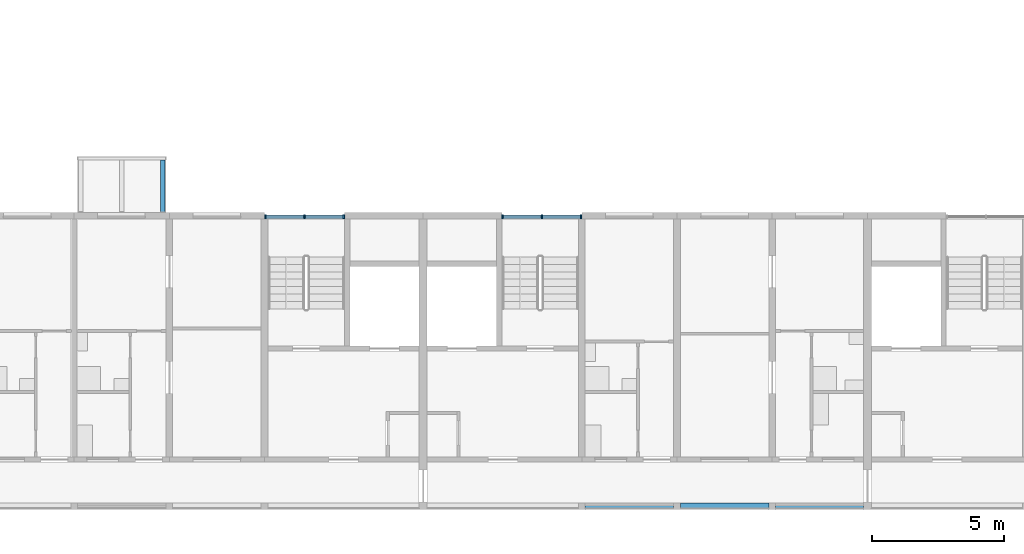
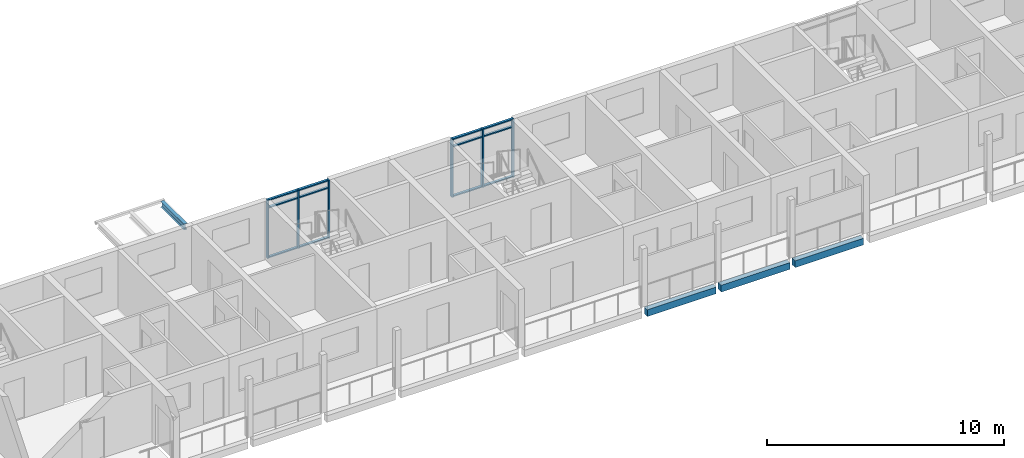
# One storey, part 18 of 98: 18 members, 4 beams, 2 elements without a shape of their own.
"""IFC4 building model written with IfcOpenShell, lengths in metres."""

from ifc_helpers import new_model, si_unit, direction, frame, origin, origin_2d, place, context, subcontext, project, spatial, rectangle, i_section, extrude, material, material_profile, profile_set, type_object, element, aggregate, save


model = new_model("IFC4")

# Units and contexts
model_context = context("Model", 3, precision=1e-05, world=origin(), true_north=direction((0.0, 1.0)))
body_context = subcontext(model_context, "Body", "Model", "MODEL_VIEW")
ifc_project = project(units=[si_unit("LENGTHUNIT", "METRE"), si_unit("AREAUNIT", "SQUARE_METRE"), si_unit("VOLUMEUNIT", "CUBIC_METRE"), si_unit("PLANEANGLEUNIT", "RADIAN"), si_unit("MASSUNIT", "GRAM", prefix="KILO")], contexts=[model_context])

# Site, building, storey
site_placement = place(None, origin())
site = spatial("IfcSite", under=ifc_project, at=site_placement, CompositionType="ELEMENT")
building_placement = place(site_placement, origin())
building = spatial("IfcBuilding", under=site, at=building_placement, Name="Ridgestep Commons", CompositionType="ELEMENT")
storey_placement = place(building_placement, frame((0.0, 0.0, 12.0)))
storey = spatial("IfcBuildingStorey", under=building, at=storey_placement, Name="L04", CompositionType="ELEMENT", Elevation=12.0)

# Beams
ifc_material_1 = material(Name="Precast concrete C40/50", Category="concrete")
ifc_material_profile_1 = material_profile(ifc_material_1, rectangle(XDim=0.25, YDim=0.35009765625, at=origin_2d()), Name="PC 250x350")
ifc_profile_set_1 = profile_set([ifc_material_profile_1], Name="Precast concrete C40/50")
beam_type_1 = type_object("IfcBeamType", Name="Loggia edge beam 250 x 350", PredefinedType="SPANDREL", material=ifc_profile_set_1)
beam_1_placement = place(storey_placement, frame((220.125, 11.875, -0.375), z_axis=(1.0, 0.0, 0.0), x_axis=(0.0, 1.0, 0.0)))
element("IfcBeam", 1, at=beam_1_placement, inside=storey, type_object=beam_type_1, Name="Loggia edge beam D5T3 L04", PredefinedType="SPANDREL", context=body_context, shape_type="SweptSolid", body=[
    extrude(rectangle(XDim=0.25, YDim=0.35009765625, at=origin_2d()), origin(), (0.0, 0.0, 1.0), 3.35009765625),
])
beam_2_placement = place(storey_placement, frame((223.72509765625, 11.875, -0.375), z_axis=(1.0, 0.0, 0.0), x_axis=(0.0, 1.0, 0.0)))
element("IfcBeam", 2, at=beam_2_placement, inside=storey, type_object=beam_type_1, Name="Loggia edge beam D5T2 L04", PredefinedType="SPANDREL", context=body_context, shape_type="SweptSolid", body=[
    extrude(rectangle(XDim=0.25, YDim=0.35009765625, at=origin_2d()), origin(), (0.0, 0.0, 1.0), 3.349853515625),
])
beam_3_placement = place(storey_placement, frame((227.324951171875, 11.875, -0.375), z_axis=(1.0, 0.0, 0.0), x_axis=(0.0, 1.0, 0.0)))
element("IfcBeam", 3, at=beam_3_placement, inside=storey, type_object=beam_type_1, Name="Loggia edge beam D5T1 L04", PredefinedType="SPANDREL", context=body_context, shape_type="SweptSolid", body=[
    extrude(rectangle(XDim=0.25, YDim=0.35009765625, at=origin_2d()), origin(), (0.0, 0.0, 1.0), 3.324951171875),
])

# Curtain wall, members
ifc_material_2 = material(Name="Aluminium 6063-T6 and glass", Category="aluminium")
curtain_wall_type = type_object("IfcCurtainWallType", Name="Curtain wall stair strip", PredefinedType="NOTDEFINED", material=ifc_material_2)
curtain_wall_1_placement = place(storey_placement, origin())
curtain_wall_1 = element("IfcCurtainWall", 4, at=curtain_wall_1_placement, inside=storey, type_object=curtain_wall_type, Name="Curtain wall D4C level 04", PredefinedType="NOTDEFINED")
ifc_material_3 = material(Name="Aluminium 6063-T6", Category="aluminium")
ifc_material_profile_2 = material_profile(ifc_material_3, rectangle(XDim=0.159912109375, YDim=0.06005859375, at=origin_2d()), Name="Mullion 60 x 160")
ifc_profile_set_2 = profile_set([ifc_material_profile_2], Name="Aluminium 6063-T6")
member_type_1 = type_object("IfcMemberType", Name="Mullion 60 x 160", PredefinedType="MULLION", material=ifc_profile_set_2)
member_1_placement = place(storey_placement, frame((208.030029296875, 22.830078125, 0.0), z_axis=(0.0, 0.0, 1.0), x_axis=(0.0, 1.0, 0.0)))
member_1 = element("IfcMember", 5, at=member_1_placement, type_object=member_type_1, Name="CW1 mullion 1", PredefinedType="MULLION", context=body_context, shape_type="SweptSolid", body=[
    extrude(rectangle(XDim=0.159912109375, YDim=0.06005859375, at=origin_2d()), origin(), (0.0, 0.0, 1.0), 3.0),
])
member_2_placement = place(storey_placement, frame((209.512451171875, 22.830078125, 0.0), z_axis=(0.0, 0.0, 1.0), x_axis=(0.0, 1.0, 0.0)))
member_2 = element("IfcMember", 6, at=member_2_placement, type_object=member_type_1, Name="CW1 mullion 2", PredefinedType="MULLION", context=body_context, shape_type="SweptSolid", body=[
    extrude(rectangle(XDim=0.159912109375, YDim=0.06005859375, at=origin_2d()), origin(), (0.0, 0.0, 1.0), 3.0),
])
member_3_placement = place(storey_placement, frame((210.9951171875, 22.830078125, 0.0), z_axis=(0.0, 0.0, 1.0), x_axis=(0.0, 1.0, 0.0)))
member_3 = element("IfcMember", 7, at=member_3_placement, type_object=member_type_1, Name="CW1 mullion 3", PredefinedType="MULLION", context=body_context, shape_type="SweptSolid", body=[
    extrude(rectangle(XDim=0.159912109375, YDim=0.06005859375, at=origin_2d()), origin(), (0.0, 0.0, 1.0), 3.0),
])

curtain_wall_2_placement = place(storey_placement, origin())
curtain_wall_2 = element("IfcCurtainWall", 8, at=curtain_wall_2_placement, inside=storey, type_object=curtain_wall_type, Name="Curtain wall D5C level 04", PredefinedType="NOTDEFINED")
member_4_placement = place(storey_placement, frame((217.0048828125, 22.830078125, 0.0), z_axis=(0.0, 0.0, 1.0), x_axis=(0.0, 1.0, 0.0)))
member_4 = element("IfcMember", 9, at=member_4_placement, type_object=member_type_1, Name="CW1 mullion 1", PredefinedType="MULLION", context=body_context, shape_type="SweptSolid", body=[
    extrude(rectangle(XDim=0.159912109375, YDim=0.06005859375, at=origin_2d()), origin(), (0.0, 0.0, 1.0), 3.0),
])
member_5_placement = place(storey_placement, frame((218.487548828125, 22.830078125, 0.0), z_axis=(0.0, 0.0, 1.0), x_axis=(0.0, 1.0, 0.0)))
member_5 = element("IfcMember", 10, at=member_5_placement, type_object=member_type_1, Name="CW1 mullion 2", PredefinedType="MULLION", context=body_context, shape_type="SweptSolid", body=[
    extrude(rectangle(XDim=0.159912109375, YDim=0.06005859375, at=origin_2d()), origin(), (0.0, 0.0, 1.0), 3.0),
])
member_6_placement = place(storey_placement, frame((219.969970703125, 22.830078125, 0.0), z_axis=(0.0, 0.0, 1.0), x_axis=(0.0, 1.0, 0.0)))
member_6 = element("IfcMember", 11, at=member_6_placement, type_object=member_type_1, Name="CW1 mullion 3", PredefinedType="MULLION", context=body_context, shape_type="SweptSolid", body=[
    extrude(rectangle(XDim=0.159912109375, YDim=0.06005859375, at=origin_2d()), origin(), (0.0, 0.0, 1.0), 3.0),
])

# Member
ifc_material_4 = material(Name="Aluminium 6063-T6", Category="aluminium")
ifc_material_profile_3 = material_profile(ifc_material_4, rectangle(XDim=0.1201171875, YDim=0.06005859375, at=origin_2d()), Name="Transom 60 x 120")
ifc_profile_set_3 = profile_set([ifc_material_profile_3], Name="Aluminium 6063-T6")
member_type_2 = type_object("IfcMemberType", Name="Transom 60 x 120", PredefinedType="USERDEFINED", material=ifc_profile_set_3)
member_7_placement = place(storey_placement, frame((208.06005859375, 22.830078125, 0.030029296875), z_axis=(1.0, 0.0, 0.0), x_axis=(0.0, 1.0, 0.0)))
member_7 = element("IfcMember", 12, at=member_7_placement, type_object=member_type_2, Name="CW1 transom 1.1", ObjectType="TRANSOM", PredefinedType="USERDEFINED", context=body_context, shape_type="SweptSolid", body=[
    extrude(rectangle(XDim=0.1201171875, YDim=0.06005859375, at=origin_2d()), origin(), (0.0, 0.0, 1.0), 1.42236328125),
])

member_8_placement = place(storey_placement, frame((208.06005859375, 22.830078125, 2.590087890625), z_axis=(1.0, 0.0, 0.0), x_axis=(0.0, 1.0, 0.0)))
member_8 = element("IfcMember", 13, at=member_8_placement, type_object=member_type_2, Name="CW1 transom 1.2", ObjectType="TRANSOM", PredefinedType="USERDEFINED", context=body_context, shape_type="SweptSolid", body=[
    extrude(rectangle(XDim=0.1201171875, YDim=0.06005859375, at=origin_2d()), origin(), (0.0, 0.0, 1.0), 1.42236328125),
])

member_9_placement = place(storey_placement, frame((208.06005859375, 22.830078125, 2.969970703125), z_axis=(1.0, 0.0, 0.0), x_axis=(0.0, 1.0, 0.0)))
member_9 = element("IfcMember", 14, at=member_9_placement, type_object=member_type_2, Name="CW1 transom 1.3", ObjectType="TRANSOM", PredefinedType="USERDEFINED", context=body_context, shape_type="SweptSolid", body=[
    extrude(rectangle(XDim=0.1201171875, YDim=0.06005859375, at=origin_2d()), origin(), (0.0, 0.0, 1.0), 1.42236328125),
])

member_10_placement = place(storey_placement, frame((209.54248046875, 22.830078125, 0.030029296875), z_axis=(1.0, 0.0, 0.0), x_axis=(0.0, 1.0, 0.0)))
member_10 = element("IfcMember", 15, at=member_10_placement, type_object=member_type_2, Name="CW1 transom 2.1", ObjectType="TRANSOM", PredefinedType="USERDEFINED", context=body_context, shape_type="SweptSolid", body=[
    extrude(rectangle(XDim=0.1201171875, YDim=0.06005859375, at=origin_2d()), origin(), (0.0, 0.0, 1.0), 1.422607421875),
])

member_11_placement = place(storey_placement, frame((209.54248046875, 22.830078125, 2.590087890625), z_axis=(1.0, 0.0, 0.0), x_axis=(0.0, 1.0, 0.0)))
member_11 = element("IfcMember", 16, at=member_11_placement, type_object=member_type_2, Name="CW1 transom 2.2", ObjectType="TRANSOM", PredefinedType="USERDEFINED", context=body_context, shape_type="SweptSolid", body=[
    extrude(rectangle(XDim=0.1201171875, YDim=0.06005859375, at=origin_2d()), origin(), (0.0, 0.0, 1.0), 1.422607421875),
])

member_12_placement = place(storey_placement, frame((209.54248046875, 22.830078125, 2.969970703125), z_axis=(1.0, 0.0, 0.0), x_axis=(0.0, 1.0, 0.0)))
member_12 = element("IfcMember", 17, at=member_12_placement, type_object=member_type_2, Name="CW1 transom 2.3", ObjectType="TRANSOM", PredefinedType="USERDEFINED", context=body_context, shape_type="SweptSolid", body=[
    extrude(rectangle(XDim=0.1201171875, YDim=0.06005859375, at=origin_2d()), origin(), (0.0, 0.0, 1.0), 1.422607421875),
])

aggregate(curtain_wall_1, [member_1, member_2, member_3, member_7, member_8, member_9, member_10, member_11, member_12])

member_13_placement = place(storey_placement, frame((217.034912109375, 22.830078125, 0.030029296875), z_axis=(1.0, 0.0, 0.0), x_axis=(0.0, 1.0, 0.0)))
member_13 = element("IfcMember", 18, at=member_13_placement, type_object=member_type_2, Name="CW1 transom 1.1", ObjectType="TRANSOM", PredefinedType="USERDEFINED", context=body_context, shape_type="SweptSolid", body=[
    extrude(rectangle(XDim=0.1201171875, YDim=0.06005859375, at=origin_2d()), origin(), (0.0, 0.0, 1.0), 1.422607421875),
])

member_14_placement = place(storey_placement, frame((217.034912109375, 22.830078125, 2.590087890625), z_axis=(1.0, 0.0, 0.0), x_axis=(0.0, 1.0, 0.0)))
member_14 = element("IfcMember", 19, at=member_14_placement, type_object=member_type_2, Name="CW1 transom 1.2", ObjectType="TRANSOM", PredefinedType="USERDEFINED", context=body_context, shape_type="SweptSolid", body=[
    extrude(rectangle(XDim=0.1201171875, YDim=0.06005859375, at=origin_2d()), origin(), (0.0, 0.0, 1.0), 1.422607421875),
])

member_15_placement = place(storey_placement, frame((217.034912109375, 22.830078125, 2.969970703125), z_axis=(1.0, 0.0, 0.0), x_axis=(0.0, 1.0, 0.0)))
member_15 = element("IfcMember", 20, at=member_15_placement, type_object=member_type_2, Name="CW1 transom 1.3", ObjectType="TRANSOM", PredefinedType="USERDEFINED", context=body_context, shape_type="SweptSolid", body=[
    extrude(rectangle(XDim=0.1201171875, YDim=0.06005859375, at=origin_2d()), origin(), (0.0, 0.0, 1.0), 1.422607421875),
])

member_16_placement = place(storey_placement, frame((218.517578125, 22.830078125, 0.030029296875), z_axis=(1.0, 0.0, 0.0), x_axis=(0.0, 1.0, 0.0)))
member_16 = element("IfcMember", 21, at=member_16_placement, type_object=member_type_2, Name="CW1 transom 2.1", ObjectType="TRANSOM", PredefinedType="USERDEFINED", context=body_context, shape_type="SweptSolid", body=[
    extrude(rectangle(XDim=0.1201171875, YDim=0.06005859375, at=origin_2d()), origin(), (0.0, 0.0, 1.0), 1.42236328125),
])

member_17_placement = place(storey_placement, frame((218.517578125, 22.830078125, 2.590087890625), z_axis=(1.0, 0.0, 0.0), x_axis=(0.0, 1.0, 0.0)))
member_17 = element("IfcMember", 22, at=member_17_placement, type_object=member_type_2, Name="CW1 transom 2.2", ObjectType="TRANSOM", PredefinedType="USERDEFINED", context=body_context, shape_type="SweptSolid", body=[
    extrude(rectangle(XDim=0.1201171875, YDim=0.06005859375, at=origin_2d()), origin(), (0.0, 0.0, 1.0), 1.42236328125),
])

member_18_placement = place(storey_placement, frame((218.517578125, 22.830078125, 2.969970703125), z_axis=(1.0, 0.0, 0.0), x_axis=(0.0, 1.0, 0.0)))
member_18 = element("IfcMember", 23, at=member_18_placement, type_object=member_type_2, Name="CW1 transom 2.3", ObjectType="TRANSOM", PredefinedType="USERDEFINED", context=body_context, shape_type="SweptSolid", body=[
    extrude(rectangle(XDim=0.1201171875, YDim=0.06005859375, at=origin_2d()), origin(), (0.0, 0.0, 1.0), 1.42236328125),
])

aggregate(curtain_wall_2, [member_4, member_5, member_6, member_13, member_14, member_15, member_16, member_17, member_18])

# Beam
ifc_material_5 = material(Name="Weathering steel S355J2W", Category="steel")
ifc_material_profile_4 = material_profile(ifc_material_5, i_section(OverallWidth=0.1650390625, OverallDepth=0.303466796875, WebThickness=0.006103515625, FlangeThickness=0.01025390625, FilletRadius=0.0087890625, at=origin_2d()), Name="UB 305x165x40")
ifc_profile_set_4 = profile_set([ifc_material_profile_4], Name="Weathering steel S355J2W")
beam_type_2 = type_object("IfcBeamType", Name="Tray arm UB 305x165x40", PredefinedType="BEAM", material=ifc_profile_set_4)
beam_4_placement = place(storey_placement, frame((204.14990234375, 23.014892578125, 2.83837890625), z_axis=(0.0, 1.0, 0.0), x_axis=(-1.0, 0.0, 0.0)))
element("IfcBeam", 24, at=beam_4_placement, inside=storey, type_object=beam_type_2, Name="Tray arm D4T2-05.3", PredefinedType="BEAM", context=body_context, shape_type="SweptSolid", body=[
    extrude(i_section(OverallWidth=0.1650390625, OverallDepth=0.303466796875, WebThickness=0.006103515625, FlangeThickness=0.01025390625, FilletRadius=0.0087890625, at=origin_2d()), origin(), (0.0, 0.0, 1.0), 1.965087890625),
])

save(model, "model.ifc")
